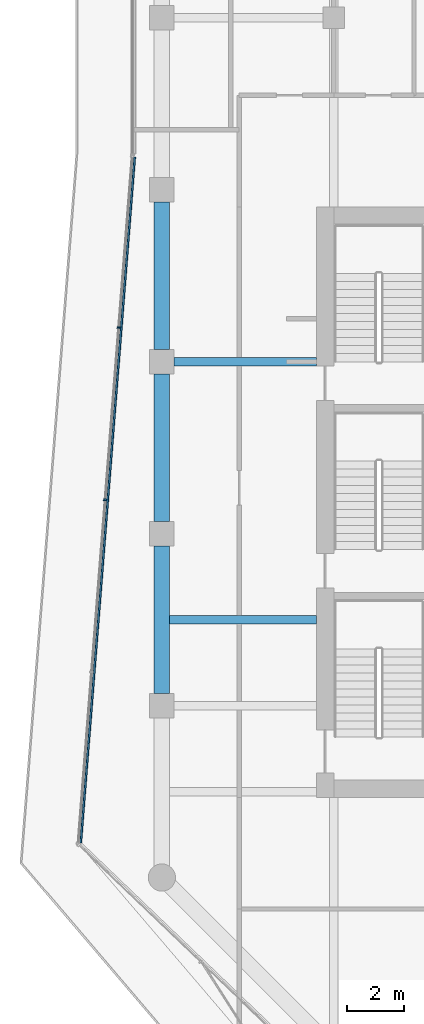
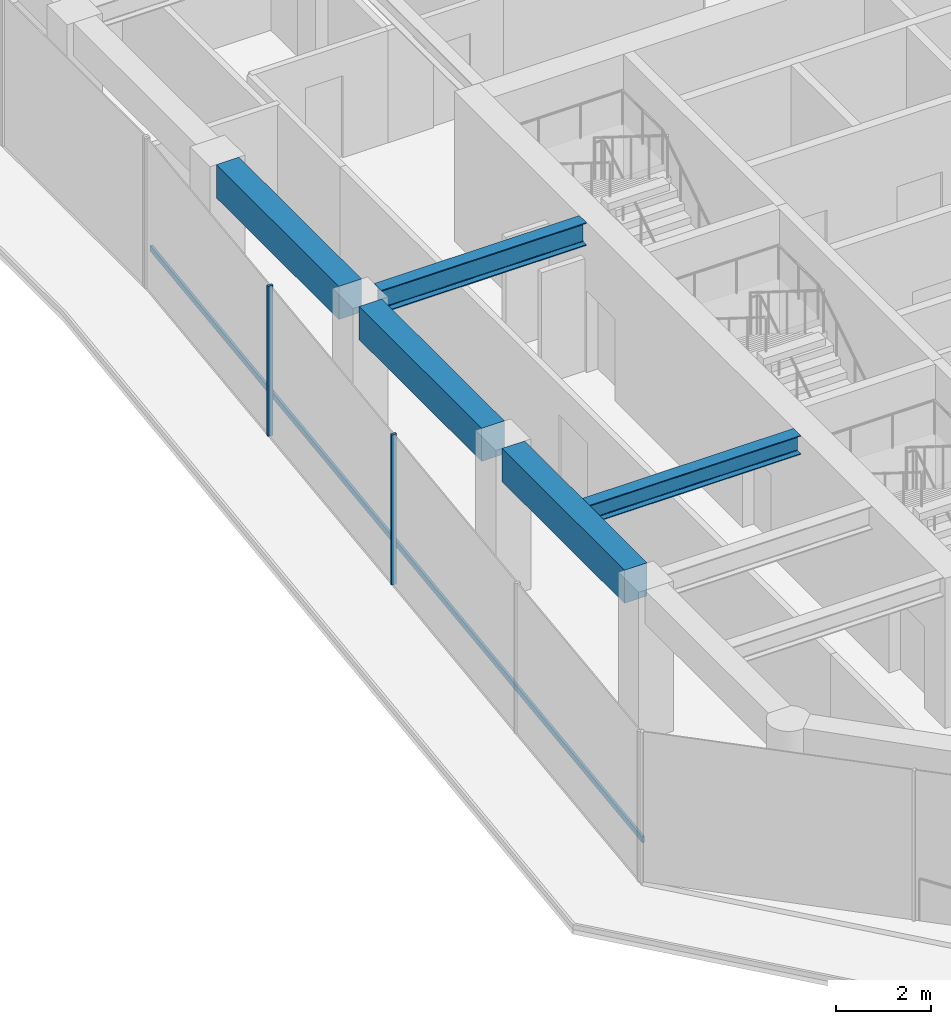
# One storey, part 5 of 22: 5 beams, 3 members, 1 element without a shape of its own.
"""IFC4 building model written with IfcOpenShell, lengths in metres."""

from ifc_helpers import new_model, si_unit, direction, frame, origin, origin_2d, place, context, subcontext, project, spatial, rectangle, i_section, extrude, material, layer, layer_set, material_profile, profile_set, type_object, element, aggregate, save


model = new_model("IFC4")

# Units and contexts
model_context = context("Model", 3, precision=1e-05, world=origin(), true_north=direction((0.0, 1.0)))
body_context = subcontext(model_context, "Body", "Model", "MODEL_VIEW")
ifc_project = project(units=[si_unit("LENGTHUNIT", "METRE"), si_unit("AREAUNIT", "SQUARE_METRE"), si_unit("VOLUMEUNIT", "CUBIC_METRE"), si_unit("PLANEANGLEUNIT", "RADIAN"), si_unit("MASSUNIT", "GRAM", prefix="KILO")], contexts=[model_context])

# Site, building, storey
site_placement = place(None, origin())
site = spatial("IfcSite", under=ifc_project, at=site_placement, CompositionType="ELEMENT")
building_placement = place(site_placement, origin())
building = spatial("IfcBuilding", under=site, at=building_placement, Name="Welwitschia Terrace Campus", CompositionType="ELEMENT")
storey_placement = place(building_placement, frame((0.0, 0.0, 150.800048828125)))
storey = spatial("IfcBuildingStorey", under=building, at=storey_placement, Name="L33", CompositionType="ELEMENT", Elevation=150.800048828125)

# Beam
ifc_material_1 = material(Name="Steel S355", Category="steel")
ifc_material_profile_1 = material_profile(ifc_material_1, i_section(OverallWidth=0.300048828125, OverallDepth=0.489990234375, WebThickness=0.011962890625, FlangeThickness=0.02294921875, FilletRadius=0.027099609375, at=origin_2d()))
ifc_profile_set_1 = profile_set([ifc_material_profile_1], Name="Steel S355")
beam_type_1 = type_object("IfcBeamType", Name="Interior girder HE 500 A", PredefinedType="BEAM", material=ifc_profile_set_1)
beam_1_placement = place(storey_placement, frame((-0.010009765625, 11.0, 3.60498046875), z_axis=(1.0, 0.0, 0.0), x_axis=(0.0, 1.0, 0.0)))
element("IfcBeam", 1, at=beam_1_placement, inside=storey, type_object=beam_type_1, Name="Girder GB4", PredefinedType="BEAM", context=body_context, shape_type="SweptSolid", body=[
    extrude(i_section(OverallWidth=0.300048828125, OverallDepth=0.489990234375, WebThickness=0.011962890625, FlangeThickness=0.02294921875, FilletRadius=0.027099609375, at=origin_2d()), origin(), (0.0, 0.0, 1.0), 5.408935546875),
])

# Curtain wall, members
ifc_material_2 = material(Name="Bronze anodised aluminium", Category="aluminium")
ifc_layer = layer(ifc_material_2, 0.1201171875)
ifc_layer_set = layer_set([ifc_layer], Name="Bronze anodised aluminium")
curtain_wall_type = type_object("IfcCurtainWallType", Name="Curtain wall CW2 tower 6000", PredefinedType="NOTDEFINED", material=ifc_layer_set)
curtain_wall_placement = place(storey_placement, origin())
curtain_wall = element("IfcCurtainWall", 2, at=curtain_wall_placement, inside=storey, type_object=curtain_wall_type, Name="CW L33.1.0", PredefinedType="NOTDEFINED")
ifc_material_3 = material(Name="Bronze anodised aluminium", Category="aluminium")
ifc_material_profile_2 = material_profile(ifc_material_3, rectangle(XDim=0.1201171875, YDim=0.06005859375, at=origin_2d()))
ifc_profile_set_2 = profile_set([ifc_material_profile_2], Name="Bronze anodised aluminium")
member_type_1 = type_object("IfcMemberType", Name="Mullion 60x120", PredefinedType="MULLION", material=ifc_profile_set_2)
member_1_placement = place(storey_placement, frame((-1.503173828125, 21.19384765625, 0.0), z_axis=(0.0, 0.0, 1.0), x_axis=(0.996917333733, -0.078459095728, 0.0)))
member_1 = element("IfcMember", 3, at=member_1_placement, type_object=member_type_1, Name="Mullion L33.1.0.1", PredefinedType="MULLION", context=body_context, shape_type="SweptSolid", body=[
    extrude(rectangle(XDim=0.1201171875, YDim=0.06005859375, at=origin_2d()), origin(), (0.0, 0.0, 1.0), 3.849853515625),
])
member_2_placement = place(storey_placement, frame((-1.976318359375, 15.1826171875, 0.0), z_axis=(0.0, 0.0, 1.0), x_axis=(0.996917333733, -0.078459095728, 0.0)))
member_2 = element("IfcMember", 4, at=member_2_placement, type_object=member_type_1, Name="Mullion L33.1.0.2", PredefinedType="MULLION", context=body_context, shape_type="SweptSolid", body=[
    extrude(rectangle(XDim=0.1201171875, YDim=0.06005859375, at=origin_2d()), origin(), (0.0, 0.0, 1.0), 3.849853515625),
])

# Beams
ifc_material_4 = material(Name="Steel S355", Category="steel")
ifc_material_profile_3 = material_profile(ifc_material_4, i_section(OverallWidth=0.300048828125, OverallDepth=0.590087890625, WebThickness=0.012939453125, FlangeThickness=0.02490234375, FilletRadius=0.027099609375, at=origin_2d()))
ifc_profile_set_3 = profile_set([ifc_material_profile_3], Name="Steel S355")
beam_type_2 = type_object("IfcBeamType", Name="Primary beam HE 600 A", PredefinedType="BEAM", material=ifc_profile_set_3)
beam_2_placement = place(storey_placement, frame((0.425537109375, 20.0, 3.554931640625), z_axis=(1.0, 0.0, 0.0), x_axis=(0.0, 1.0, 0.0)))
element("IfcBeam", 5, at=beam_2_placement, inside=storey, type_object=beam_type_2, Name="Primary beam PB4", PredefinedType="BEAM", context=body_context, shape_type="SweptSolid", body=[
    extrude(i_section(OverallWidth=0.300048828125, OverallDepth=0.590087890625, WebThickness=0.012939453125, FlangeThickness=0.02490234375, FilletRadius=0.027099609375, at=origin_2d()), origin(), (0.0, 0.0, 1.0), 4.974365234375),
])
ifc_material_5 = material(Name="Concrete C50/60", Category="concrete")
ifc_material_profile_4 = material_profile(ifc_material_5, rectangle(XDim=0.550048828125, YDim=0.85009765625, at=origin_2d()))
ifc_profile_set_4 = profile_set([ifc_material_profile_4], Name="Concrete C50/60")
beam_type_3 = type_object("IfcBeamType", Name="Ring spandrel 550x850", PredefinedType="SPANDREL", material=ifc_profile_set_4)
for number, where, z_axis, x_axis, name in (
    (6, (0.0, 25.574462890625, 3.425048828125), (0.0, -1.0, 0.0), (1.0, 0.0, 0.0), "Spandrel SP3"),
    (7, (0.0, 19.574462890625, 3.425048828125), (0.0, -1.0, 0.0), (1.0, 0.0, 0.0), "Spandrel SP3"),
    (8, (0.0, 13.574462890625, 3.425048828125), (0.0, -1.0, 0.0), (1.0, 0.0, 0.0), "Spandrel SP3"),
):
    element("IfcBeam", number, at=place(storey_placement, frame(where, z_axis=z_axis, x_axis=x_axis)), inside=storey, type_object=beam_type_3, Name=name, PredefinedType="SPANDREL", context=body_context, shape_type="SweptSolid", body=[
        extrude(rectangle(XDim=0.550048828125, YDim=0.85009765625, at=origin_2d()), origin(), (0.0, 0.0, 1.0), 5.14892578125),
    ])

# Member
ifc_material_6 = material(Name="Bronze anodised aluminium", Category="aluminium")
ifc_material_profile_5 = material_profile(ifc_material_6, rectangle(XDim=0.06005859375, YDim=0.14990234375, at=origin_2d()))
ifc_profile_set_5 = profile_set([ifc_material_profile_5], Name="Bronze anodised aluminium")
member_type_2 = type_object("IfcMemberType", Name="Transom 60x150", PredefinedType="USERDEFINED", material=ifc_profile_set_5)
member_3_placement = place(storey_placement, frame((-0.945068359375, 27.138427734375, 1.0), z_axis=(-0.078451338629, -0.9969179442, 0.0), x_axis=(0.9969179442, -0.078451338629, 0.0)))
member_3 = element("IfcMember", 9, at=member_3_placement, type_object=member_type_2, Name="Transom L33.1.0", ObjectType="TRANSOM", PredefinedType="USERDEFINED", context=body_context, shape_type="SweptSolid", body=[
    extrude(rectangle(XDim=0.06005859375, YDim=0.14990234375, at=origin_2d()), origin(), (0.0, 0.0, 1.0), 23.999755859375),
])

aggregate(curtain_wall, [member_1, member_2, member_3])

save(model, "model.ifc")
